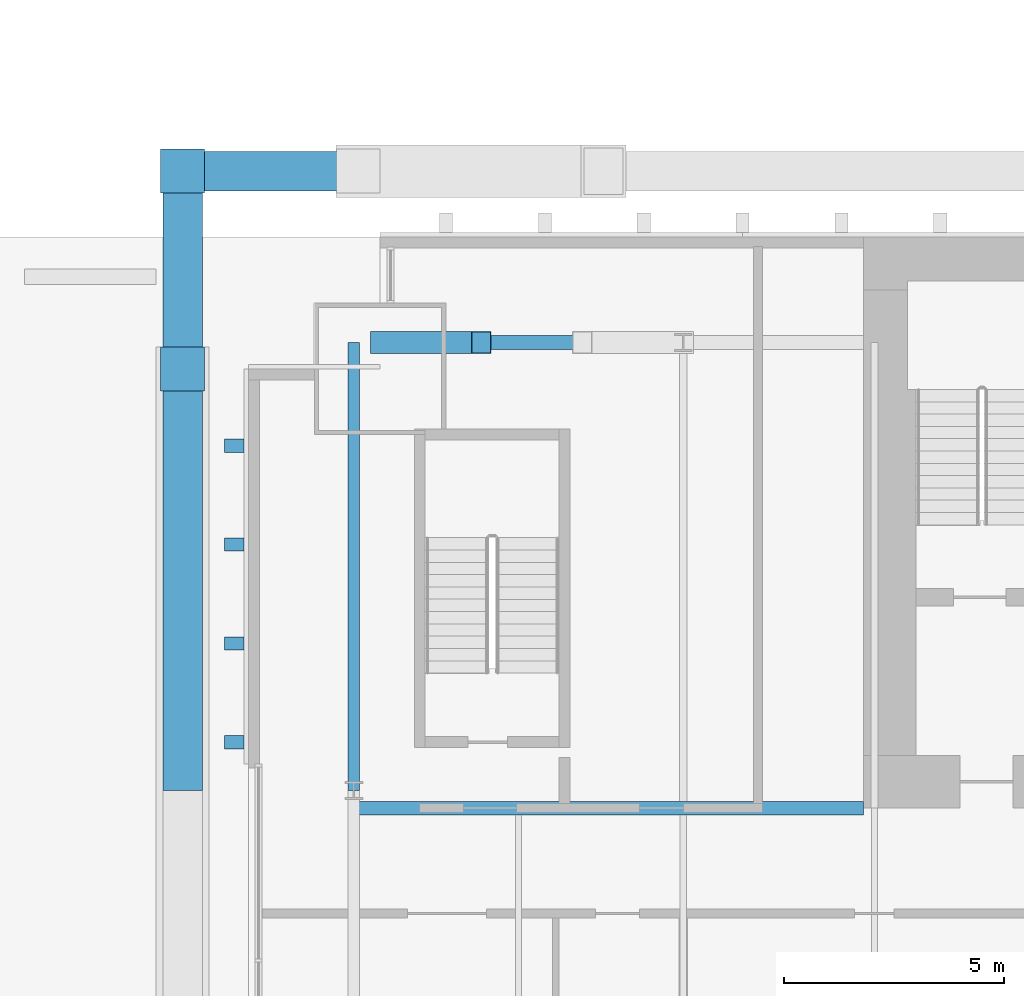
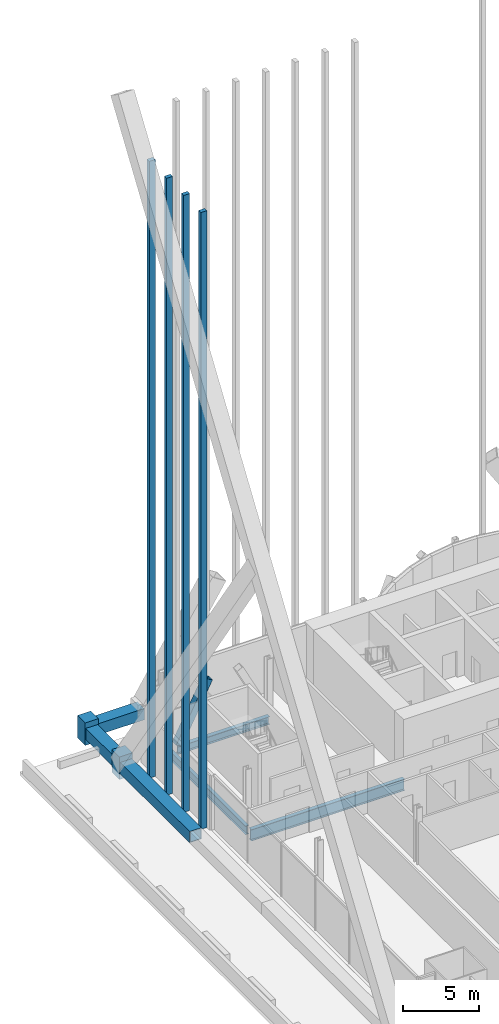
# One storey, part 12 of 29: 10 members, 3 beams, 1 element without a shape of its own.
"""IFC4 building model written with IfcOpenShell, lengths in metres."""

import ifcopenshell
import ifcopenshell.guid

model = None  # the IFC model being written
_history = None  # IfcOwnerHistory: only IFC2X3 demands one
_inside = {}  # id of a spatial element -> (the spatial element, [elements in it])
_under = {}  # id of a project, library or spatial element -> (it, [spatial elements below it])
_declared = {}  # id of a project -> (the project, [libraries it declares])
_typed = {}  # id of a type object -> (the type object, [elements of that type])
_made_of = {}  # id of a material, layer set ... -> (it, [elements and type objects made of it])


def new_model(schema):
    """Start an empty IFC model of exactly this schema.

    Asked for "IFC4X3", IfcOpenShell would pick the latest addendum, in which some entities
    have other attributes; the version numbers below select the first issue.
    IFC2X3 requires an IfcOwnerHistory on every rooted entity: one is made here for all.
    """
    global model, _history
    if schema == "IFC4X3":
        model = ifcopenshell.file(schema_version=(4, 3, 0, 0))
    else:
        model = ifcopenshell.file(schema=schema)
    _inside.clear()
    _under.clear()
    _declared.clear()
    _typed.clear()
    _made_of.clear()
    _history = None
    if model.schema == "IFC2X3":
        org = make("IfcOrganization", Name="unknown")
        user = make(
            "IfcPersonAndOrganization",
            ThePerson=make("IfcPerson", FamilyName="unknown"),
            TheOrganization=org,
        )
        app = make(
            "IfcApplication",
            ApplicationDeveloper=org,
            Version="unknown",
            ApplicationFullName="unknown",
            ApplicationIdentifier="unknown",
        )
        _history = make(
            "IfcOwnerHistory",
            OwningUser=user,
            OwningApplication=app,
            ChangeAction="ADDED",
            CreationDate=0,
        )
    return model


def make(cls, **values):
    """One entity of the class cls with the attributes given. An attribute that is None is left unset."""
    return model.create_entity(
        cls, **{name: value for name, value in values.items() if value is not None}
    )


def rooted(cls, **values):
    """An entity with a GlobalId (a new one), such as an element, a storey or a relation."""
    return make(cls, GlobalId=ifcopenshell.guid.new(), OwnerHistory=_history, **values)


def si_unit(unit_type, name, prefix=None):
    """IfcSIUnit, for example si_unit("LENGTHUNIT", "METRE", prefix="MILLI")."""
    return make("IfcSIUnit", UnitType=unit_type, Prefix=prefix, Name=name)


def assignment(units):
    """IfcUnitAssignment: the units of a project."""
    return None if units is None else make("IfcUnitAssignment", Units=units)


def point(xyz):
    """IfcCartesianPoint."""
    return None if xyz is None else make("IfcCartesianPoint", Coordinates=xyz)


def direction(xyz):
    """IfcDirection."""
    return None if xyz is None else make("IfcDirection", DirectionRatios=xyz)


def frame(location, z_axis=None, x_axis=None):
    """IfcAxis2Placement3D, a coordinate frame: its origin and axes. An axis left out is left unset."""
    return make(
        "IfcAxis2Placement3D",
        Location=point(location),
        Axis=direction(z_axis),
        RefDirection=direction(x_axis),
    )


def frame_2d(location, x_axis=None):
    """IfcAxis2Placement2D, a coordinate frame in the plane: its origin and x axis."""
    return make(
        "IfcAxis2Placement2D", Location=point(location), RefDirection=direction(x_axis)
    )


def origin():
    """The frame at (0, 0, 0) with its axes left unset."""
    return frame((0.0, 0.0, 0.0))


def origin_2d():
    """The frame at (0, 0) in the plane with its x axis left unset."""
    return frame_2d((0.0, 0.0))


def place(relative_to, where):
    """IfcLocalPlacement: puts the frame where relative to a parent placement (None: the world)."""
    return make(
        "IfcLocalPlacement", PlacementRelTo=relative_to, RelativePlacement=where
    )


def context(
    kind, dimensions, precision=None, world=None, true_north=None, identifier=None
):
    """IfcGeometricRepresentationContext, for example the 3D "Model" context."""
    return make(
        "IfcGeometricRepresentationContext",
        ContextIdentifier=identifier,
        ContextType=kind,
        CoordinateSpaceDimension=dimensions,
        Precision=precision,
        WorldCoordinateSystem=world,
        TrueNorth=true_north,
    )


def subcontext(parent, identifier, kind, view, scale=None):
    """IfcGeometricRepresentationSubContext, for example "Body" below "Model"."""
    return make(
        "IfcGeometricRepresentationSubContext",
        ContextIdentifier=identifier,
        ContextType=kind,
        ParentContext=parent,
        TargetScale=scale,
        TargetView=view,
    )


def project(units=None, contexts=None):
    """IfcProject with its units and contexts."""
    return rooted(
        "IfcProject",
        Name="project",
        RepresentationContexts=contexts,
        UnitsInContext=assignment(units),
    )


def spatial(cls, under=None, at=None, **own):
    """A site, building, storey or space (cls), placed at a placement, below another one or the project."""
    s = rooted(cls, ObjectPlacement=at, **own)
    if under is not None:
        _under.setdefault(under.id(), (under, []))[1].append(s)
    return s


def profile(cls, at=None, kind="AREA", **sizes):
    """A parametric profile (cls). Its sizes go by their IFC names, for example OverallWidth=200.0."""
    return make(cls, ProfileType=kind, Position=at, **sizes)


def rectangle(**sizes):
    """IfcRectangleProfileDef."""
    return profile("IfcRectangleProfileDef", **sizes)


def hollow_rectangle(**sizes):
    """IfcRectangleHollowProfileDef."""
    return profile("IfcRectangleHollowProfileDef", **sizes)


def i_section(**sizes):
    """IfcIShapeProfileDef."""
    return profile("IfcIShapeProfileDef", **sizes)


def extrude(swept, where, along, depth):
    """IfcExtrudedAreaSolid: the profile swept, set in the frame where, extruded along a direction by depth."""
    return make(
        "IfcExtrudedAreaSolid",
        SweptArea=swept,
        Position=where,
        ExtrudedDirection=direction(along),
        Depth=depth,
    )


def shape(context_of_items, identifier, shape_type, items):
    """IfcShapeRepresentation: the items that make up one representation, for example the "Body"."""
    return make(
        "IfcShapeRepresentation",
        ContextOfItems=context_of_items,
        RepresentationIdentifier=identifier,
        RepresentationType=shape_type,
        Items=items,
    )


def material(Name=None, Category=None):
    """IfcMaterial."""
    return make("IfcMaterial", Name=Name, Category=Category)


def material_profile(
    of_material, cross_section, Name=None, Category=None, Priority=None
):
    """IfcMaterialProfile: a cross section and its material."""
    return make(
        "IfcMaterialProfile",
        Name=Name,
        Material=of_material,
        Profile=cross_section,
        Priority=Priority,
        Category=Category,
    )


def profile_set(profiles, Name=None, composite=None):
    """IfcMaterialProfileSet."""
    return make(
        "IfcMaterialProfileSet",
        Name=Name,
        MaterialProfiles=profiles,
        CompositeProfile=composite,
    )


def made_of(thing, what):
    """Note that an element or type object is made of a material, layer set ...; save() writes the relation."""
    if what is not None:
        _made_of.setdefault(what.id(), (what, []))[1].append(thing)
    return thing


def type_object(cls, material=None, **own):
    """A type object (cls), such as IfcWallType, which elements share."""
    return made_of(rooted(cls, **own), material)


def element(
    cls,
    number,
    at=None,
    inside=None,
    cuts=None,
    type_object=None,
    material=None,
    context=None,
    identifier="Body",
    shape_type=None,
    held_by="IfcProductDefinitionShape",
    body=None,
    shapes=None,
    **own,
):
    """One element of the class cls, such as IfcWall. Its Tag is "e" and its number.

    at: its placement. inside: the storey or other place that contains it. cuts: it is an
    opening in that element (IfcRelVoidsElement). A single representation is given by context,
    identifier, shape_type and body (its items); several are given by shapes. held_by: the class
    of the entity that holds the representations. save() writes the other relations.
    """
    e = rooted(cls, Tag="e%d" % number, ObjectPlacement=at, **own)
    if body is not None:
        shapes = [shape(context, identifier, shape_type, body)]
    if shapes is not None:
        e.Representation = make(held_by, Representations=shapes)
    if inside is not None:
        _inside.setdefault(inside.id(), (inside, []))[1].append(e)
    if cuts is not None:
        rooted(
            "IfcRelVoidsElement", RelatingBuildingElement=cuts, RelatedOpeningElement=e
        )
    if type_object is not None:
        _typed.setdefault(type_object.id(), (type_object, []))[1].append(e)
    return made_of(e, material)


def aggregate(whole, parts):
    """IfcRelAggregates: a whole, such as a stair, and the parts it consists of."""
    return rooted("IfcRelAggregates", RelatingObject=whole, RelatedObjects=parts)


def save(model, path):
    """Write the relations noted so far, then the file.

    IfcRelAggregates (storeys below a building ...), IfcRelContainedInSpatialStructure (elements
    in a storey), IfcRelDefinesByType, IfcRelAssociatesMaterial and IfcRelDeclares: one each for
    every whole, place, type object, material and project.
    """
    for whole, parts in _under.values():
        aggregate(whole, parts)
    for where, things in _inside.values():
        rooted(
            "IfcRelContainedInSpatialStructure",
            RelatedElements=things,
            RelatingStructure=where,
        )
    for kind, things in _typed.values():
        rooted("IfcRelDefinesByType", RelatedObjects=things, RelatingType=kind)
    for what, things in _made_of.values():
        rooted("IfcRelAssociatesMaterial", RelatedObjects=things, RelatingMaterial=what)
    for by, libraries in _declared.values():
        rooted("IfcRelDeclares", RelatingContext=by, RelatedDefinitions=libraries)
    model.write(path)


model = new_model("IFC4")

# Units and contexts
model_context = context("Model", 3, precision=1e-05, world=origin(), true_north=direction((0.0, 1.0)))
body_context = subcontext(model_context, "Body", "Model", "MODEL_VIEW")
ifc_project = project(units=[si_unit("LENGTHUNIT", "METRE"), si_unit("AREAUNIT", "SQUARE_METRE"), si_unit("VOLUMEUNIT", "CUBIC_METRE"), si_unit("PLANEANGLEUNIT", "RADIAN"), si_unit("MASSUNIT", "GRAM", prefix="KILO")], contexts=[model_context])

# Site, building, storey
site_placement = place(None, origin())
site = spatial("IfcSite", under=ifc_project, at=site_placement, CompositionType="ELEMENT")
building_placement = place(site_placement, origin())
building = spatial("IfcBuilding", under=site, at=building_placement, Name="Bicima Exchange Tower", CompositionType="ELEMENT")
storey_placement = place(building_placement, frame((0.0, 0.0, 35.0)))
storey = spatial("IfcBuildingStorey", under=building, at=storey_placement, Name="L06", CompositionType="ELEMENT", Elevation=35.0)

# Beams
ifc_material_1 = material(Name="Steel ASTM A992 Gr 50", Category="steel")
ifc_material_profile_1 = material_profile(ifc_material_1, i_section(OverallWidth=0.3046875, OverallDepth=0.911865234375, WebThickness=0.015869140625, FlangeThickness=0.02392578125, at=origin_2d()))
ifc_profile_set_1 = profile_set([ifc_material_profile_1], Name="Steel ASTM A992 Gr 50")
beam_type_1 = type_object("IfcBeamType", Name="Core-line girder W36x150", PredefinedType="BEAM", material=ifc_profile_set_1)
beam_1_placement = place(storey_placement, frame((-22.0, -13.0, -0.60595703125), z_axis=(-1.0, 0.0, 0.0), x_axis=(0.0, -1.0, 0.0)))
element("IfcBeam", 1, at=beam_1_placement, inside=storey, type_object=beam_type_1, Name="Core-line girder", PredefinedType="BEAM", context=body_context, shape_type="SweptSolid", body=[
    extrude(i_section(OverallWidth=0.3046875, OverallDepth=0.911865234375, WebThickness=0.015869140625, FlangeThickness=0.02392578125, at=origin_2d()), origin(), (0.0, 0.0, 1.0), 11.60009765625),
])
ifc_material_profile_2 = material_profile(ifc_material_1, i_section(OverallWidth=0.256591796875, OverallDepth=0.693359375, WebThickness=0.014404296875, FlangeThickness=0.023681640625, at=origin_2d()))
ifc_profile_set_2 = profile_set([ifc_material_profile_2], Name="Steel ASTM A992 Gr 50")
beam_type_2 = type_object("IfcBeamType", Name="End girder W27x114", PredefinedType="BEAM", material=ifc_profile_set_2)
beam_2_placement = place(storey_placement, frame((-33.60009765625, -2.39990234375, -0.49658203125), z_axis=(0.0, -1.0, 0.0), x_axis=(1.0, 0.0, 0.0)))
element("IfcBeam", 2, at=beam_2_placement, inside=storey, type_object=beam_type_2, Name="End girder", PredefinedType="BEAM", context=body_context, shape_type="SweptSolid", body=[
    extrude(i_section(OverallWidth=0.256591796875, OverallDepth=0.693359375, WebThickness=0.014404296875, FlangeThickness=0.023681640625, at=origin_2d()), origin(), (0.0, 0.0, 1.0), 10.2001953125),
])

# Members
ifc_material_2 = material(Name="Steel ASTM A572 Gr 50", Category="steel")
ifc_material_profile_3 = material_profile(ifc_material_2, hollow_rectangle(XDim=0.89990234375, YDim=0.89990234375, WallThickness=0.050048828125, at=origin_2d()))
ifc_profile_set_3 = profile_set([ifc_material_profile_3], Name="Steel ASTM A572 Gr 50")
member_type_1 = type_object("IfcMemberType", Name="Exo belt ring BOX 900x900x50", PredefinedType="CHORD", material=ifc_profile_set_3)
member_1_placement = place(storey_placement, frame((-33.5, 1.5, 0.449951171875), z_axis=(-1.0, 0.0, 0.0), x_axis=(0.0, -1.0, 0.0)))
element("IfcMember", 3, at=member_1_placement, inside=storey, type_object=member_type_1, Name="Exo belt ring", PredefinedType="CHORD", context=body_context, shape_type="SweptSolid", body=[
    extrude(hollow_rectangle(XDim=0.89990234375, YDim=0.89990234375, WallThickness=0.050048828125, at=origin_2d()), origin(), (0.0, 0.0, 1.0), 4.0),
])
member_2_placement = place(storey_placement, frame((-37.5, 1.5, 0.449951171875), z_axis=(0.0, -1.0, 0.0), x_axis=(1.0, 0.0, 0.0)))
element("IfcMember", 4, at=member_2_placement, inside=storey, type_object=member_type_1, Name="Exo belt ring", PredefinedType="CHORD", context=body_context, shape_type="SweptSolid", body=[
    extrude(hollow_rectangle(XDim=0.89990234375, YDim=0.89990234375, WallThickness=0.050048828125, at=origin_2d()), origin(), (0.0, 0.0, 1.0), 4.5),
])
member_3_placement = place(storey_placement, frame((-37.5, -3.0, 0.449951171875), z_axis=(0.0, -1.0, 0.0), x_axis=(1.0, 0.0, 0.0)))
element("IfcMember", 5, at=member_3_placement, inside=storey, type_object=member_type_1, Name="Exo belt ring", PredefinedType="CHORD", context=body_context, shape_type="SweptSolid", body=[
    extrude(hollow_rectangle(XDim=0.89990234375, YDim=0.89990234375, WallThickness=0.050048828125, at=origin_2d()), origin(), (0.0, 0.0, 1.0), 9.60009765625),
])
ifc_material_3 = material(Name="Cast steel ASTM A216 Gr WCB", Category="steel")
ifc_material_profile_4 = material_profile(ifc_material_3, rectangle(XDim=1.0, YDim=1.0, at=origin_2d()))
ifc_profile_set_4 = profile_set([ifc_material_profile_4], Name="Cast steel ASTM A216 Gr WCB")
member_type_2 = type_object("IfcMemberType", Name="Exo node block", PredefinedType="POST", material=ifc_profile_set_4)
for number, where, z_axis, x_axis, name in (
    (6, (-37.5, 1.5, -0.449951171875), (0.0, 0.0, 1.0), (1.0, 0.0, 0.0), "Exo node block"),
    (7, (-37.5, -3.0, -0.449951171875), (0.0, 0.0, 1.0), (1.0, 0.0, 0.0), "Exo node block"),
):
    element("IfcMember", number, at=place(storey_placement, frame(where, z_axis=z_axis, x_axis=x_axis)), inside=storey, type_object=member_type_2, Name=name, PredefinedType="POST", context=body_context, shape_type="SweptSolid", body=[
        extrude(rectangle(XDim=1.0, YDim=1.0, at=origin_2d()), origin(), (0.0, 0.0, 1.0), 1.800048828125),
    ])
ifc_material_profile_5 = material_profile(ifc_material_2, hollow_rectangle(XDim=0.508056640625, YDim=0.508056640625, WallThickness=0.017822265625, at=origin_2d()))
ifc_profile_set_5 = profile_set([ifc_material_profile_5], Name="Steel ASTM A572 Gr 50")
member_type_3 = type_object("IfcMemberType", Name="Mega brace HSS20x20x3/4", PredefinedType="BRACE", material=ifc_profile_set_5)
member_4_placement = place(storey_placement, frame((-33.0, -2.39990234375, 0.0), z_axis=(0.455118720355, 0.0, 0.890430766754), x_axis=(0.0, 1.0, 0.0)))
element("IfcMember", 8, at=member_4_placement, inside=storey, type_object=member_type_3, Name="Mega brace rear", PredefinedType="BRACE", context=body_context, shape_type="SweptSolid", body=[
    extrude(hollow_rectangle(XDim=0.508056640625, YDim=0.508056640625, WallThickness=0.017822265625, at=origin_2d()), origin(), (0.0, 0.0, 1.0), 5.0537109375),
])

# Curtain wall, members
ifc_material_4 = material(Name="Anodised bronze aluminium", Category="aluminium")
curtain_wall_type = type_object("IfcCurtainWallType", Name="Rear blade screen", PredefinedType="NOTDEFINED", material=ifc_material_4)
curtain_wall_placement = place(storey_placement, origin())
curtain_wall = element("IfcCurtainWall", 9, at=curtain_wall_placement, inside=storey, type_object=curtain_wall_type, Name="End blade screen L06-L16", PredefinedType="NOTDEFINED")
ifc_material_profile_6 = material_profile(ifc_material_4, rectangle(XDim=0.449951171875, YDim=0.300048828125, at=origin_2d()))
ifc_profile_set_6 = profile_set([ifc_material_profile_6], Name="Anodised bronze aluminium")
member_type_4 = type_object("IfcMemberType", Name="Rear blade fin 450 x 300", PredefinedType="USERDEFINED", material=ifc_profile_set_6)
member_5_placement = place(storey_placement, frame((-36.324951171875, -11.5, 0.0), z_axis=(0.0, 0.0, 1.0), x_axis=(1.0, 0.0, 0.0)))
member_5 = element("IfcMember", 10, at=member_5_placement, type_object=member_type_4, Name="End blade fin L06-L16 1", ObjectType="FIN", PredefinedType="USERDEFINED", context=body_context, shape_type="SweptSolid", body=[
    extrude(rectangle(XDim=0.449951171875, YDim=0.300048828125, at=origin_2d()), origin(), (0.0, 0.0, 1.0), 49.300048828125),
])
member_6_placement = place(storey_placement, frame((-36.324951171875, -9.25, 0.0), z_axis=(0.0, 0.0, 1.0), x_axis=(1.0, 0.0, 0.0)))
member_6 = element("IfcMember", 11, at=member_6_placement, type_object=member_type_4, Name="End blade fin L06-L16 2", ObjectType="FIN", PredefinedType="USERDEFINED", context=body_context, shape_type="SweptSolid", body=[
    extrude(rectangle(XDim=0.449951171875, YDim=0.300048828125, at=origin_2d()), origin(), (0.0, 0.0, 1.0), 49.300048828125),
])
member_7_placement = place(storey_placement, frame((-36.324951171875, -7.0, 0.0), z_axis=(0.0, 0.0, 1.0), x_axis=(1.0, 0.0, 0.0)))
member_7 = element("IfcMember", 12, at=member_7_placement, type_object=member_type_4, Name="End blade fin L06-L16 3", ObjectType="FIN", PredefinedType="USERDEFINED", context=body_context, shape_type="SweptSolid", body=[
    extrude(rectangle(XDim=0.449951171875, YDim=0.300048828125, at=origin_2d()), origin(), (0.0, 0.0, 1.0), 49.300048828125),
])
member_8_placement = place(storey_placement, frame((-36.324951171875, -4.75, 0.0), z_axis=(0.0, 0.0, 1.0), x_axis=(1.0, 0.0, 0.0)))
member_8 = element("IfcMember", 13, at=member_8_placement, type_object=member_type_4, Name="End blade fin L06-L16 4", ObjectType="FIN", PredefinedType="USERDEFINED", context=body_context, shape_type="SweptSolid", body=[
    extrude(rectangle(XDim=0.449951171875, YDim=0.300048828125, at=origin_2d()), origin(), (0.0, 0.0, 1.0), 49.300048828125),
])
aggregate(curtain_wall, [member_5, member_6, member_7, member_8])

# Beam
ifc_material_profile_7 = material_profile(ifc_material_1, i_section(OverallWidth=0.3251953125, OverallDepth=0.612060546875, WebThickness=0.0126953125, FlangeThickness=0.01904296875, at=origin_2d()))
ifc_profile_set_7 = profile_set([ifc_material_profile_7], Name="Steel ASTM A992 Gr 50")
beam_type_3 = type_object("IfcBeamType", Name="Rear girder W24x104", PredefinedType="BEAM", material=ifc_profile_set_7)
beam_3_placement = place(storey_placement, frame((-26.10009765625, -2.39990234375, -0.4560546875), z_axis=(-1.0, 0.0, 0.0), x_axis=(0.0, -1.0, 0.0)))
element("IfcBeam", 14, at=beam_3_placement, inside=storey, type_object=beam_type_3, Name="Rear girder", PredefinedType="BEAM", context=body_context, shape_type="SweptSolid", body=[
    extrude(i_section(OverallWidth=0.3251953125, OverallDepth=0.612060546875, WebThickness=0.0126953125, FlangeThickness=0.01904296875, at=origin_2d()), origin(), (0.0, 0.0, 1.0), 6.89990234375),
])

save(model, "model.ifc")
